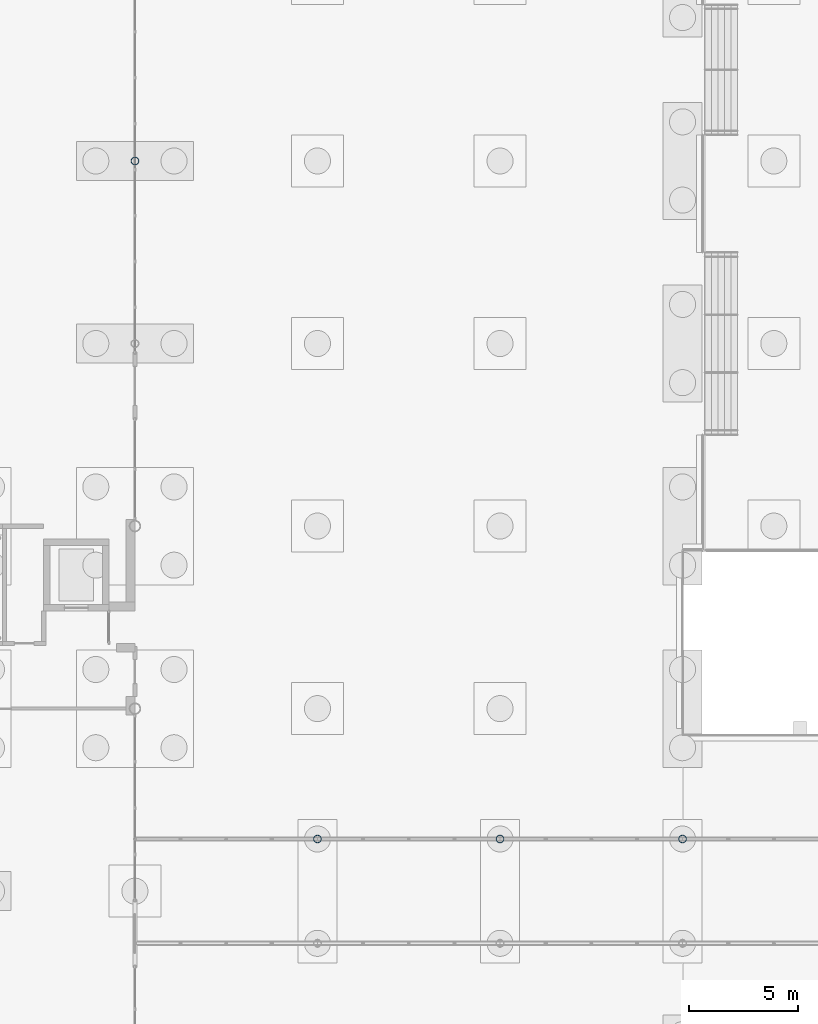
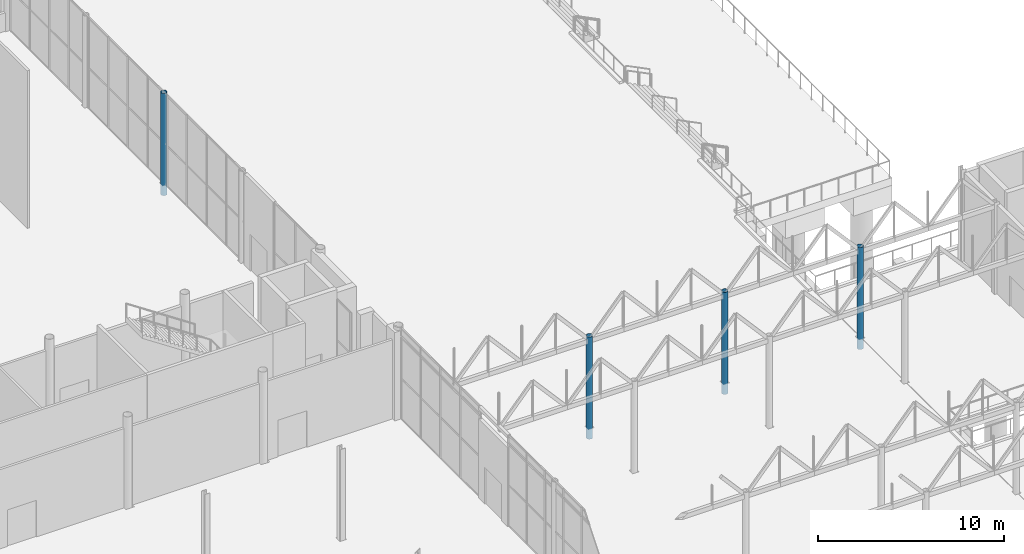
# One storey, part 22 of 212: 4 columns.
"""IFC4 building model written with IfcOpenShell, lengths in metres."""

from ifc_helpers import new_model, si_unit, direction, frame, origin, origin_2d, place, context, subcontext, project, spatial, hollow_circle, extrude, material, material_profile, profile_set, type_object, element, save


model = new_model("IFC4")

# Units and contexts
model_context = context("Model", 3, precision=1e-05, world=origin(), true_north=direction((0.0, 1.0)))
body_context = subcontext(model_context, "Body", "Model", "MODEL_VIEW")
ifc_project = project(units=[si_unit("LENGTHUNIT", "METRE"), si_unit("AREAUNIT", "SQUARE_METRE"), si_unit("VOLUMEUNIT", "CUBIC_METRE"), si_unit("PLANEANGLEUNIT", "RADIAN"), si_unit("MASSUNIT", "GRAM", prefix="KILO")], contexts=[model_context])

# Site, building, storey
site_placement = place(None, origin())
site = spatial("IfcSite", under=ifc_project, at=site_placement, CompositionType="ELEMENT")
building_placement = place(site_placement, origin())
building = spatial("IfcBuilding", under=site, at=building_placement, Name="Catenary Quay Ferry Terminal", CompositionType="ELEMENT")
storey_placement = place(building_placement, origin())
storey = spatial("IfcBuildingStorey", under=building, at=storey_placement, Name="L00", CompositionType="ELEMENT", Elevation=0.0)

# Columns
ifc_material = material(Name="Steel S355", Category="steel")
ifc_material_profile = material_profile(ifc_material, hollow_circle(Radius=0.177734375, WallThickness=0.012451171875, at=origin_2d()), Name="CHS 355.6x12.5")
ifc_profile_set = profile_set([ifc_material_profile], Name="Steel S355")
column_type = type_object("IfcColumnType", Name="C5 CHS 355.6x12.5", PredefinedType="COLUMN", material=ifc_profile_set)
for number, where, z_axis, x_axis, name in (
    (1, (92.39990234375, 126.0, -0.699951171875), (0.0, 0.0, 1.0), (1.0, 0.0, 0.0), "Column C-L16 L00"),
    (2, (100.800048828125, 94.800048828125, -0.699951171875), (0.0, 0.0, 1.0), (1.0, 0.0, 0.0), "Column C-BB2NM L00"),
    (3, (109.199951171875, 94.800048828125, -0.699951171875), (0.0, 0.0, 1.0), (1.0, 0.0, 0.0), "Column C-BB2NN L00"),
    (4, (117.60009765625, 94.800048828125, -0.699951171875), (0.0, 0.0, 1.0), (1.0, 0.0, 0.0), "Column C-BB2NO L00"),
):
    element("IfcColumn", number, at=place(storey_placement, frame(where, z_axis=z_axis, x_axis=x_axis)), inside=storey, type_object=column_type, Name=name, PredefinedType="COLUMN", context=body_context, shape_type="SweptSolid", body=[
        extrude(hollow_circle(Radius=0.177734375, WallThickness=0.012451171875, at=origin_2d()), origin(), (0.0, 0.0, 1.0), 6.699951171875),
    ])

save(model, "model.ifc")
